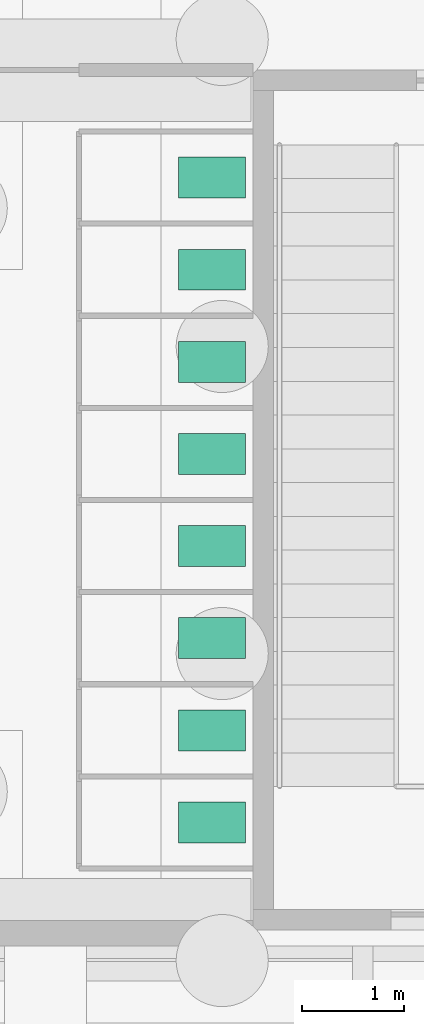
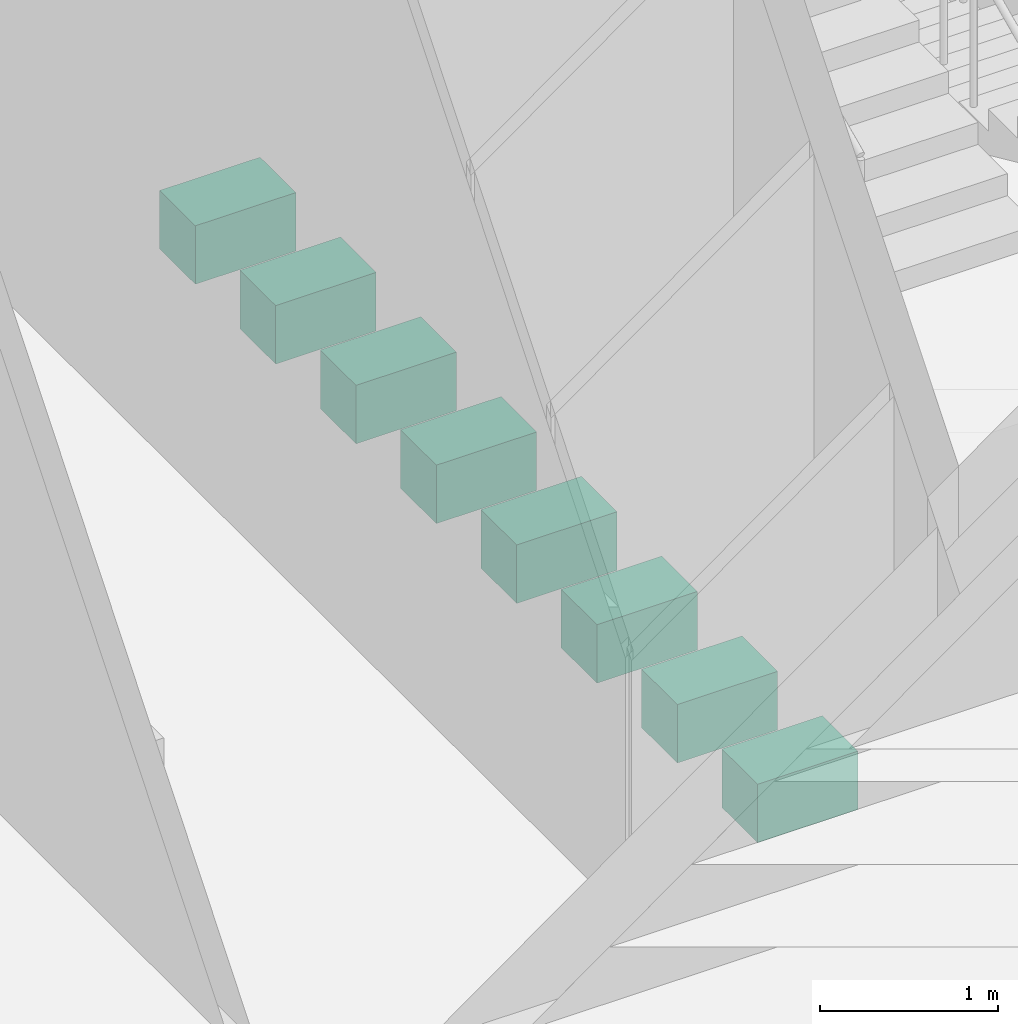
# One storey, part 217 of 222: 8 sanitary terminals.
"""IFC4 building model written with IfcOpenShell, lengths in metres."""

from ifc_helpers import new_model, si_unit, direction, frame, origin, origin_2d, place, context, subcontext, project, spatial, rectangle, extrude, element, save


model = new_model("IFC4")

# Units and contexts
model_context = context("Model", 3, precision=1e-05, world=origin(), true_north=direction((0.0, 1.0)))
body_context = subcontext(model_context, "Body", "Model", "MODEL_VIEW")
ifc_project = project(units=[si_unit("LENGTHUNIT", "METRE"), si_unit("AREAUNIT", "SQUARE_METRE"), si_unit("VOLUMEUNIT", "CUBIC_METRE"), si_unit("PLANEANGLEUNIT", "RADIAN"), si_unit("MASSUNIT", "GRAM", prefix="KILO")], contexts=[model_context])

# Site, building, storey
site_placement = place(None, origin())
site = spatial("IfcSite", under=ifc_project, at=site_placement, CompositionType="ELEMENT")
building_placement = place(site_placement, origin())
building = spatial("IfcBuilding", under=site, at=building_placement, Name="Sava Quay Ferry Terminal", CompositionType="ELEMENT")
storey_placement = place(building_placement, origin())
storey = spatial("IfcBuildingStorey", under=building, at=storey_placement, Name="L00", CompositionType="ELEMENT", Elevation=0.0)

# Sanitary terminals
for number, where, z_axis, x_axis, name in (
    (1, (163.39990234375, 26.25, 0.0), (0.0, 0.0, 1.0), (1.0, 0.0, 0.0), "WC pan"),
    (2, (163.39990234375, 27.14990234375, 0.0), (0.0, 0.0, 1.0), (1.0, 0.0, 0.0), "WC pan"),
    (3, (163.39990234375, 28.050048828125, 0.0), (0.0, 0.0, 1.0), (1.0, 0.0, 0.0), "WC pan"),
    (4, (163.39990234375, 28.949951171875, 0.0), (0.0, 0.0, 1.0), (1.0, 0.0, 0.0), "WC pan"),
    (5, (163.39990234375, 29.85009765625, 0.0), (0.0, 0.0, 1.0), (1.0, 0.0, 0.0), "WC pan"),
    (6, (163.39990234375, 30.75, 0.0), (0.0, 0.0, 1.0), (1.0, 0.0, 0.0), "WC pan"),
    (7, (163.39990234375, 31.64990234375, 0.0), (0.0, 0.0, 1.0), (1.0, 0.0, 0.0), "WC pan"),
    (8, (163.39990234375, 32.550048828125, 0.0), (0.0, 0.0, 1.0), (1.0, 0.0, 0.0), "WC pan"),
):
    element("IfcSanitaryTerminal", number, at=place(storey_placement, frame(where, z_axis=z_axis, x_axis=x_axis)), inside=storey, Name=name, PredefinedType="WCSEAT", context=body_context, shape_type="SweptSolid", body=[
        extrude(rectangle(XDim=0.64990234375, YDim=0.39990234375, at=origin_2d()), origin(), (0.0, 0.0, 1.0), 0.39990234375),
    ])

save(model, "model.ifc")
